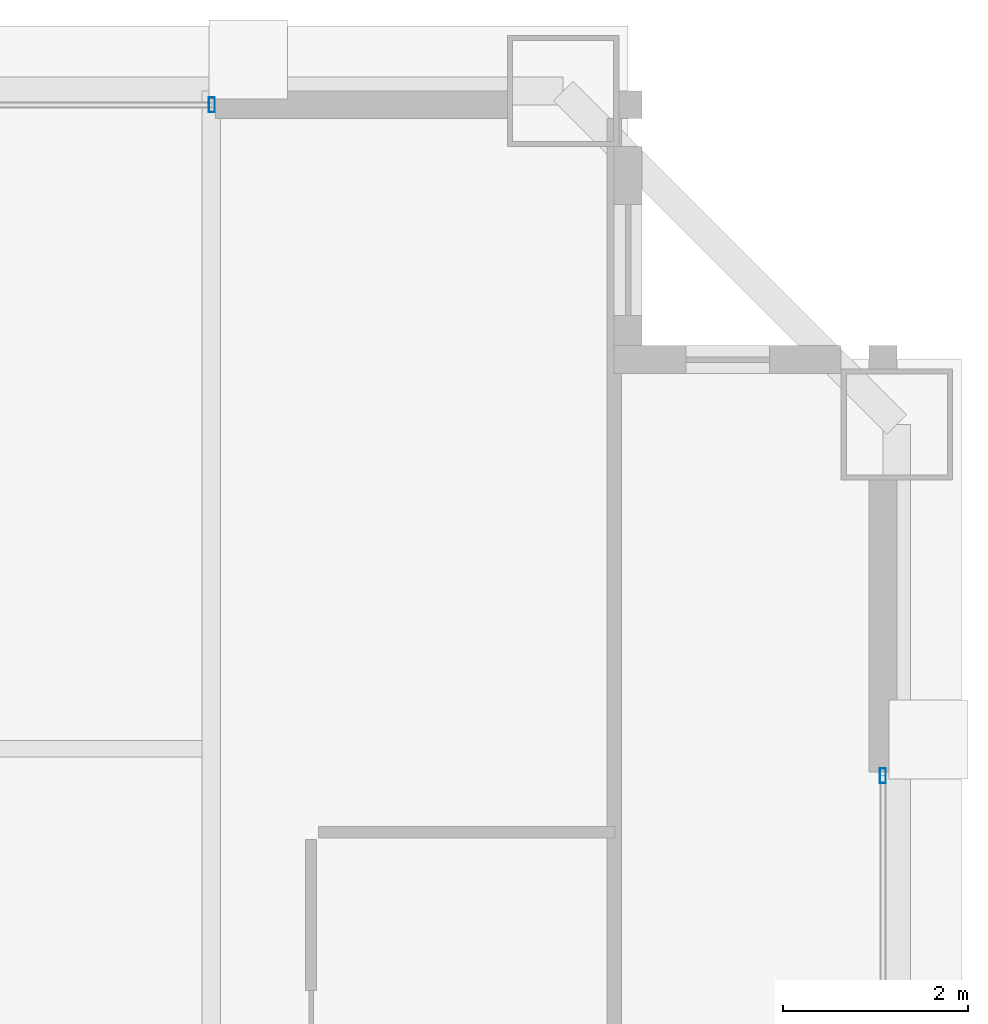
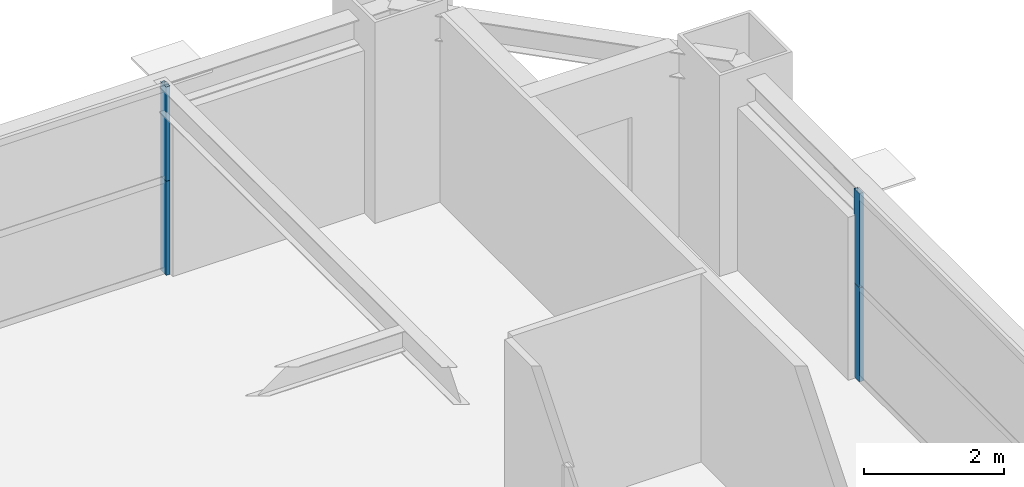
# One storey, part 31 of 37: 4 members, 2 elements without a shape of their own.
"""IFC4 building model written with IfcOpenShell, lengths in metres."""

from ifc_helpers import new_model, si_unit, direction, frame, origin, origin_2d, place, context, subcontext, project, spatial, hollow_rectangle, extrude, source, transform, mapped, material, layer, layer_set, material_profile, profile_set, type_object, element, aggregate, save


model = new_model("IFC4")

# Units and contexts
model_context = context("Model", 3, precision=1e-05, world=origin(), true_north=direction((0.0, 1.0)))
body_context = subcontext(model_context, "Body", "Model", "MODEL_VIEW")
ifc_project = project(units=[si_unit("LENGTHUNIT", "METRE"), si_unit("AREAUNIT", "SQUARE_METRE"), si_unit("VOLUMEUNIT", "CUBIC_METRE"), si_unit("PLANEANGLEUNIT", "RADIAN"), si_unit("MASSUNIT", "GRAM", prefix="KILO"), si_unit("THERMODYNAMICTEMPERATUREUNIT", "KELVIN"), si_unit("POWERUNIT", "WATT")], contexts=[model_context])

# Site, building, storey
site_placement = place(None, origin())
site = spatial("IfcSite", under=ifc_project, at=site_placement, CompositionType="ELEMENT")
building_placement = place(site_placement, origin())
building = spatial("IfcBuilding", under=site, at=building_placement, Name="Yuzanri Waterfront Tower", CompositionType="ELEMENT")
storey_placement = place(building_placement, frame((0.0, 0.0, 268.10009765625)))
storey = spatial("IfcBuildingStorey", under=building, at=storey_placement, Name="L71", CompositionType="ELEMENT", Elevation=268.10009765625)

# Curtain wall, members
ifc_material_1 = material(Name="Anodized Architectural Bronze", Category="metal")
ifc_layer = layer(ifc_material_1, 0.159912109375)
ifc_layer_set = layer_set([ifc_layer], Name="Anodized Architectural Bronze")
curtain_wall_type = type_object("IfcCurtainWallType", Name="Anodized Bronze Mid-Rise Residential Acoustic Unitized Curtain Wall 7200", PredefinedType="NOTDEFINED", material=ifc_layer_set)
curtain_wall_1_placement = place(storey_placement, origin())
curtain_wall_1 = element("IfcCurtainWall", 1, at=curtain_wall_1_placement, inside=storey, type_object=curtain_wall_type, Name="L71 Curtain Wall CW-L71-NR", PredefinedType="NOTDEFINED")
ifc_material_2 = material(Name="Anodized Architectural Bronze", Category="metal")
ifc_material_profile = material_profile(ifc_material_2, hollow_rectangle(XDim=0.06494140625, YDim=0.159912109375, WallThickness=0.00341796875, at=origin_2d()), Name="CWM 65x160")
ifc_profile_set = profile_set([ifc_material_profile], Name="Anodized Architectural Bronze")
member_type = type_object("IfcMemberType", Name="Anodized Bronze Upper-Zone Curtain-Wall Mullion 65x160", PredefinedType="MULLION", material=ifc_profile_set)
shared_shape = source(origin(), body_context, "Body", "SweptSolid", [
    extrude(hollow_rectangle(XDim=0.06494140625, YDim=0.159912109375, WallThickness=0.00341796875, at=origin_2d()), origin(), (0.0, 0.0, 1.0), 1.637939453125),
])
member_1_placement = place(storey_placement, frame((50.2099609375, 46.25, 0.0), z_axis=(0.0, 0.0, 1.0), x_axis=(1.0, 0.0, 0.0)))
member_1 = element("IfcMember", 2, at=member_1_placement, type_object=member_type, Name="CW-L71-NR Lower Mullion 02", PredefinedType="MULLION", context=body_context, shape_type="MappedRepresentation", body=[
    mapped(shared_shape, transform((0.0, 0.0, 0.0), scale=1.0)),
])
member_2_placement = place(storey_placement, frame((50.2099609375, 46.25, 1.641845703125), z_axis=(0.0, 0.0, 1.0), x_axis=(1.0, 0.0, 0.0)))
member_2 = element("IfcMember", 3, at=member_2_placement, type_object=member_type, Name="CW-L71-NR Upper Mullion 02", PredefinedType="MULLION", context=body_context, shape_type="MappedRepresentation", body=[
    mapped(shared_shape, transform((0.0, 0.0, 0.0), scale=1.0)),
])
aggregate(curtain_wall_1, [member_1, member_2])

curtain_wall_2_placement = place(storey_placement, origin())
curtain_wall_2 = element("IfcCurtainWall", 4, at=curtain_wall_2_placement, inside=storey, type_object=curtain_wall_type, Name="L71 Curtain Wall CW-L71-ER", PredefinedType="NOTDEFINED")
member_3_placement = place(storey_placement, frame((57.449951171875, 39.010009765625, 0.0), z_axis=(0.0, 0.0, 1.0), x_axis=(1.0, 0.0, 0.0)))
member_3 = element("IfcMember", 5, at=member_3_placement, type_object=member_type, Name="CW-L71-ER Lower Mullion 02", PredefinedType="MULLION", context=body_context, shape_type="MappedRepresentation", body=[
    mapped(shared_shape, transform((0.0, 0.0, 0.0), scale=1.0)),
])
member_4_placement = place(storey_placement, frame((57.449951171875, 39.010009765625, 1.641845703125), z_axis=(0.0, 0.0, 1.0), x_axis=(1.0, 0.0, 0.0)))
member_4 = element("IfcMember", 6, at=member_4_placement, type_object=member_type, Name="CW-L71-ER Upper Mullion 02", PredefinedType="MULLION", context=body_context, shape_type="MappedRepresentation", body=[
    mapped(shared_shape, transform((0.0, 0.0, 0.0), scale=1.0)),
])
aggregate(curtain_wall_2, [member_3, member_4])

save(model, "model.ifc")
